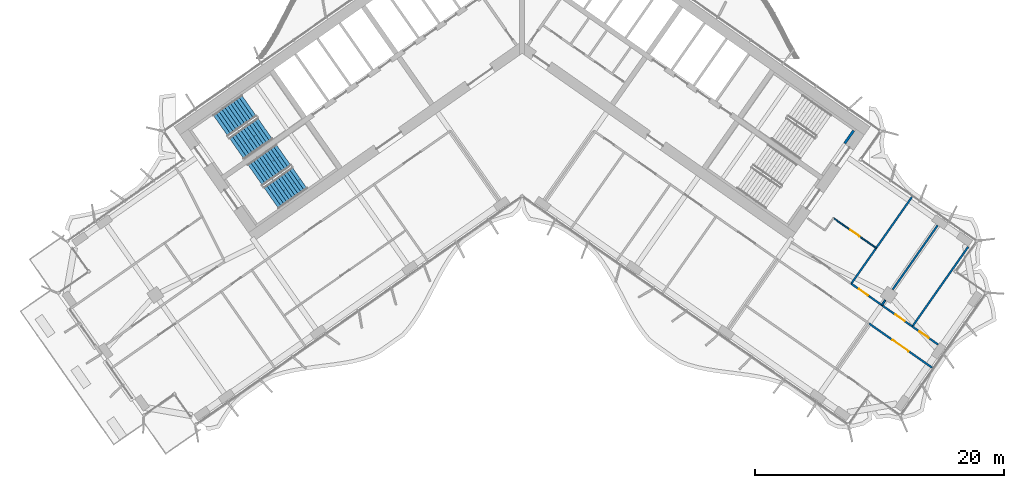
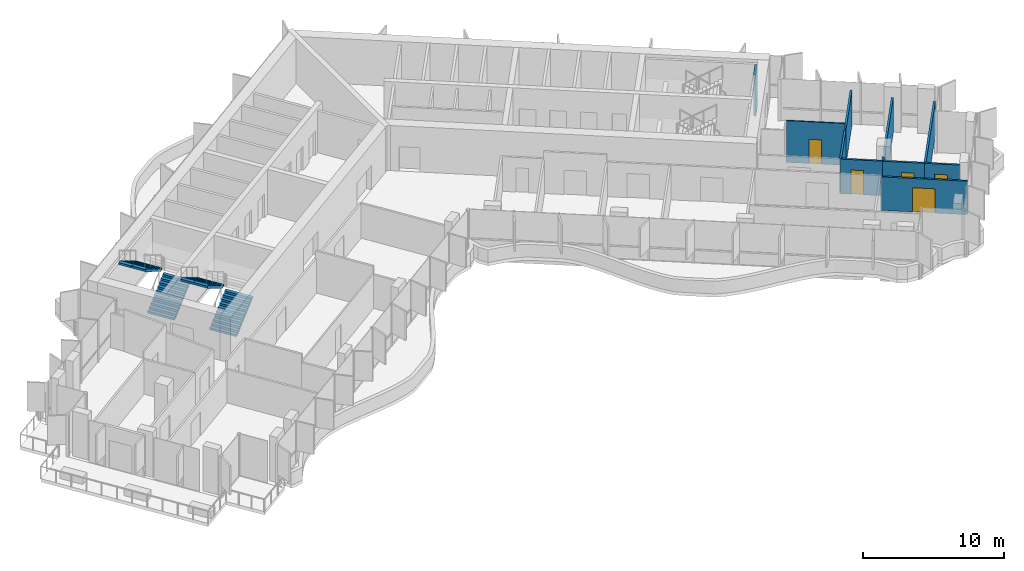
# One storey, part 17 of 24: 11 walls, 5 doors, 4 stair flights, 5 openings, 2 elements without a shape of their own.
"""IFC4 building model written with IfcOpenShell, lengths in metres."""

from ifc_helpers import new_model, si_unit, direction, frame, frame_2d, origin, place, context, subcontext, project, spatial, polyline, rectangle, outline, extrude, material, layer, layer_set, type_object, element, fill, aggregate, save


model = new_model("IFC4")

# Units and contexts
model_context = context("Model", 3, precision=1e-05, world=origin(), true_north=direction((0.0, 1.0)))
body_context = subcontext(model_context, "Body", "Model", "MODEL_VIEW")
ifc_project = project(units=[si_unit("LENGTHUNIT", "METRE"), si_unit("AREAUNIT", "SQUARE_METRE"), si_unit("VOLUMEUNIT", "CUBIC_METRE"), si_unit("PLANEANGLEUNIT", "RADIAN"), si_unit("MASSUNIT", "GRAM", prefix="KILO")], contexts=[model_context])

# Site, building, storey
site_placement = place(None, origin())
site = spatial("IfcSite", under=ifc_project, at=site_placement, CompositionType="ELEMENT")
building_placement = place(site_placement, origin())
building = spatial("IfcBuilding", under=site, at=building_placement, Name="Tel Ilan Convention Tower", CompositionType="ELEMENT")
storey_placement = place(building_placement, frame((0.0, 0.0, 167.10009765625)))
storey = spatial("IfcBuildingStorey", under=building, at=storey_placement, Name="L38", CompositionType="ELEMENT", Elevation=167.10009765625)

# Wall, opening, door
ifc_material_1 = material(Name="Plasterboard on Steel Studs", Category="steel")
ifc_layer_1 = layer(ifc_material_1, 0.14990234375)
ifc_layer_set_1 = layer_set([ifc_layer_1], Name="Fire-rated Partition 150 EI 60")
wall_type_1 = type_object("IfcWallType", Name="Fire-rated Partition 150 EI 60", PredefinedType="PARTITIONING", material=ifc_layer_set_1)
wall_1_placement = place(storey_placement, frame((26.456787109375, -19.74609375, 0.0), z_axis=(0.0, 0.0, 1.0), x_axis=(0.81916700466, -0.573555070134, 0.0)))
wall_1 = element("IfcWall", 1, at=wall_1_placement, inside=storey, type_object=wall_type_1, Name="Partition 002", PredefinedType="PARTITIONING", context=body_context, shape_type="SweptSolid", body=[
    extrude(rectangle(XDim=3.00390625, YDim=0.14990234375, at=frame_2d((1.501953125, 0.0))), origin(), (0.0, 0.0, 1.0), 3.0),
])
opening_1_placement = place(wall_1_placement, frame((0.751953125, 0.0, 0.0)))
opening_1 = element("IfcOpeningElement", 2, at=opening_1_placement, cuts=wall_1, Name="Opening L38-018", PredefinedType="OPENING", context=body_context, shape_type="SweptSolid", body=[
    extrude(rectangle(XDim=0.89990234375, YDim=2.10009765625, at=frame_2d((0.449951171875, 1.050048828125))), frame((0.0, 0.0849609375, 0.0), z_axis=(0.0, -1.0, 0.0), x_axis=(1.0, 0.0, 0.0)), (0.0, 0.0, 1.0), 0.169921875),
])
ifc_material_2 = material(Name="Timber Door Leaf in Steel Frame", Category="steel")
door_type_1 = type_object("IfcDoorType", Name="Room Fire Door 900x2100", OperationType="NOTDEFINED", PredefinedType="DOOR", material=ifc_material_2)
door_1_placement = place(opening_1_placement, origin())
door_1 = element("IfcDoor", 3, at=door_1_placement, inside=storey, type_object=door_type_1, Name="Door L38-018", OperationType="SINGLE_SWING_RIGHT", OverallHeight=2.10009765625, OverallWidth=0.89990234375, PredefinedType="DOOR", context=body_context, shape_type="SweptSolid", body=[
    extrude(rectangle(XDim=0.89990234375, YDim=2.10009765625, at=frame_2d((0.449951171875, 1.050048828125))), frame((0.0, 0.02490234375, 0.0), z_axis=(0.0, -1.0, 0.0), x_axis=(1.0, 0.0, 0.0)), (0.0, 0.0, 1.0), 0.050048828125),
])
fill(opening_1, door_1)

wall_2_placement = place(storey_placement, frame((28.914306640625, -21.466796875, 0.0), z_axis=(0.0, 0.0, 1.0), x_axis=(0.81916700466, -0.573555070134, 0.0)))
wall_2 = element("IfcWall", 4, at=wall_2_placement, inside=storey, type_object=wall_type_1, Name="Partition 003", PredefinedType="PARTITIONING", context=body_context, shape_type="SweptSolid", body=[
    extrude(rectangle(XDim=3.00390625, YDim=0.14990234375, at=frame_2d((1.501953125, 0.0))), origin(), (0.0, 0.0, 1.0), 3.0),
])
opening_2_placement = place(wall_2_placement, frame((1.35205078125, 0.0, 0.0)))
opening_2 = element("IfcOpeningElement", 5, at=opening_2_placement, cuts=wall_2, Name="Opening L38-019", PredefinedType="OPENING", context=body_context, shape_type="SweptSolid", body=[
    extrude(rectangle(XDim=0.89990234375, YDim=2.10009765625, at=frame_2d((0.449951171875, 1.050048828125))), frame((0.0, 0.0849609375, 0.0), z_axis=(0.0, -1.0, 0.0), x_axis=(1.0, 0.0, 0.0)), (0.0, 0.0, 1.0), 0.169921875),
])
door_2_placement = place(opening_2_placement, origin())
door_2 = element("IfcDoor", 6, at=door_2_placement, inside=storey, type_object=door_type_1, Name="Door L38-019", OperationType="SINGLE_SWING_LEFT", OverallHeight=2.10009765625, OverallWidth=0.89990234375, PredefinedType="DOOR", context=body_context, shape_type="SweptSolid", body=[
    extrude(rectangle(XDim=0.89990234375, YDim=2.10009765625, at=frame_2d((0.449951171875, 1.050048828125))), frame((0.0, 0.02490234375, 0.0), z_axis=(0.0, -1.0, 0.0), x_axis=(1.0, 0.0, 0.0)), (0.0, 0.0, 1.0), 0.050048828125),
])
fill(opening_2, door_2)

wall_3_placement = place(storey_placement, frame((31.37158203125, -23.1875, 0.0), z_axis=(0.0, 0.0, 1.0), x_axis=(0.819150379241, -0.573578814278, 0.0)))
wall_3 = element("IfcWall", 7, at=wall_3_placement, inside=storey, type_object=wall_type_1, Name="Partition 004", PredefinedType="PARTITIONING", context=body_context, shape_type="SweptSolid", body=[
    extrude(rectangle(XDim=2.5322265625, YDim=0.14990234375, at=frame_2d((1.26611328125, 0.0))), origin(), (0.0, 0.0, 1.0), 3.0),
])
opening_3_placement = place(wall_3_placement, frame((0.716064453125, 0.0, 0.0)))
opening_3 = element("IfcOpeningElement", 8, at=opening_3_placement, cuts=wall_3, Name="Opening L38-020", PredefinedType="OPENING", context=body_context, shape_type="SweptSolid", body=[
    extrude(rectangle(XDim=0.89990234375, YDim=2.10009765625, at=frame_2d((0.449951171875, 1.050048828125))), frame((0.0, 0.0849609375, 0.0), z_axis=(0.0, -1.0, 0.0), x_axis=(1.0, 0.0, 0.0)), (0.0, 0.0, 1.0), 0.169921875),
])
door_3_placement = place(opening_3_placement, origin())
door_3 = element("IfcDoor", 9, at=door_3_placement, inside=storey, type_object=door_type_1, Name="Door L38-020", OperationType="SINGLE_SWING_RIGHT", OverallHeight=2.10009765625, OverallWidth=0.89990234375, PredefinedType="DOOR", context=body_context, shape_type="SweptSolid", body=[
    extrude(rectangle(XDim=0.89990234375, YDim=2.10009765625, at=frame_2d((0.449951171875, 1.050048828125))), frame((0.0, 0.02490234375, 0.0), z_axis=(0.0, -1.0, 0.0), x_axis=(1.0, 0.0, 0.0)), (0.0, 0.0, 1.0), 0.050048828125),
])
fill(opening_3, door_3)

wall_4_placement = place(storey_placement, frame((32.962158203125, -26.49853515625, 0.0), z_axis=(0.0, 0.0, 1.0), x_axis=(-0.819163486841, 0.573560094347, 0.0)))
wall_4 = element("IfcWall", 10, at=wall_4_placement, inside=storey, type_object=wall_type_1, Name="Partition 010", PredefinedType="PARTITIONING", context=body_context, shape_type="SweptSolid", body=[
    extrude(rectangle(XDim=6.201904296875, YDim=0.14990234375, at=frame_2d((3.10107421875, 0.0))), origin(), (0.0, 0.0, 1.0), 2.89990234375),
])
opening_4_placement = place(wall_4_placement, frame((2.301025390625, 0.0, 0.0)))
opening_4 = element("IfcOpeningElement", 11, at=opening_4_placement, cuts=wall_4, Name="Opening L38-014", PredefinedType="OPENING", context=body_context, shape_type="SweptSolid", body=[
    extrude(rectangle(XDim=1.60009765625, YDim=2.10009765625, at=frame_2d((0.800048828125, 1.050048828125))), frame((0.0, 0.0849609375, 0.0), z_axis=(0.0, -1.0, 0.0), x_axis=(1.0, 0.0, 0.0)), (0.0, 0.0, 1.0), 0.169921875),
])
ifc_material_3 = material(Name="Timber Door Leaf in Steel Frame", Category="steel")
door_type_2 = type_object("IfcDoorType", Name="Tenant Suite Entrance Fire Door 1600x2100", OperationType="NOTDEFINED", PredefinedType="DOOR", material=ifc_material_3)
door_4_placement = place(opening_4_placement, origin())
door_4 = element("IfcDoor", 12, at=door_4_placement, inside=storey, type_object=door_type_2, Name="Door L38-014", OperationType="DOUBLE_DOOR_SINGLE_SWING", OverallHeight=2.10009765625, OverallWidth=1.60009765625, PredefinedType="DOOR", context=body_context, shape_type="SweptSolid", body=[
    extrude(rectangle(XDim=1.60009765625, YDim=2.10009765625, at=frame_2d((0.800048828125, 1.050048828125))), frame((0.0, 0.02490234375, 0.0), z_axis=(0.0, -1.0, 0.0), x_axis=(1.0, 0.0, 0.0)), (0.0, 0.0, 1.0), 0.050048828125),
])
fill(opening_4, door_4)

# Walls
wall_5_placement = place(storey_placement, frame((31.333740234375, -12.784423828125, 0.0), z_axis=(0.0, 0.0, 1.0), x_axis=(-0.573557394979, -0.819165376872, 0.0)))
element("IfcWall", 13, at=wall_5_placement, inside=storey, type_object=wall_type_1, Name="Partition 020", PredefinedType="PARTITIONING", context=body_context, shape_type="SweptSolid", body=[
    extrude(rectangle(XDim=4.9990234375, YDim=0.14990234375, at=frame_2d((2.49951171875, 0.0))), origin(), (0.0, 0.0, 1.0), 3.0),
])
wall_6_placement = place(storey_placement, frame((28.466064453125, -16.880126953125, 0.0), z_axis=(0.0, 0.0, 1.0), x_axis=(-0.573565328398, -0.819159822049, 0.0)))
element("IfcWall", 14, at=wall_6_placement, inside=storey, type_object=wall_type_1, Name="Partition 021", PredefinedType="PARTITIONING", context=body_context, shape_type="SweptSolid", body=[
    extrude(rectangle(XDim=3.500244140625, YDim=0.14990234375, at=frame_2d((1.75, 0.0))), origin(), (0.0, 0.0, 1.0), 3.0),
])
wall_7_placement = place(storey_placement, frame((33.406982421875, -15.053955078125, 0.0), z_axis=(0.0, 0.0, 1.0), x_axis=(-0.573581784433, -0.819148299495, 0.0)))
element("IfcWall", 15, at=wall_7_placement, inside=storey, type_object=wall_type_1, Name="Partition 022", PredefinedType="PARTITIONING", context=body_context, shape_type="SweptSolid", body=[
    extrude(rectangle(XDim=6.31005859375, YDim=0.14990234375, at=frame_2d((3.155029296875, 0.0))), origin(), (0.0, 0.0, 1.0), 3.0),
])
wall_8_placement = place(storey_placement, frame((29.191162109375, -21.07470703125, 0.0), z_axis=(0.0, 0.0, 1.0), x_axis=(-0.57322336738, -0.819399152483, 0.0)))
element("IfcWall", 16, at=wall_8_placement, inside=storey, type_object=wall_type_1, Name="Partition 023", PredefinedType="PARTITIONING", context=body_context, shape_type="SweptSolid", body=[
    extrude(rectangle(XDim=0.47998046875, YDim=0.14990234375, at=frame_2d((0.239990234375, 0.0))), origin(), (0.0, 0.0, 1.0), 3.0),
])
wall_9_placement = place(storey_placement, frame((35.864501953125, -16.774658203125, 0.0), z_axis=(0.0, 0.0, 1.0), x_axis=(-0.573579523489, -0.819149882643, 0.0)))
element("IfcWall", 17, at=wall_9_placement, inside=storey, type_object=wall_type_1, Name="Partition 024", PredefinedType="PARTITIONING", context=body_context, shape_type="SweptSolid", body=[
    extrude(rectangle(XDim=7.830078125, YDim=0.14990234375, at=frame_2d((3.9150390625, 0.0))), origin(), (0.0, 0.0, 1.0), 2.89990234375),
])

# Wall, opening, door
ifc_material_4 = material(Name="Plasterboard on Steel Studs", Category="steel")
ifc_layer_2 = layer(ifc_material_4, 0.10009765625)
ifc_layer_set_2 = layer_set([ifc_layer_2], Name="Plasterboard Partition 100")
wall_type_2 = type_object("IfcWallType", Name="Plasterboard Partition 100", PredefinedType="PARTITIONING", material=ifc_layer_set_2)
wall_10_placement = place(storey_placement, frame((25.026123046875, -14.47021484375, 0.0), z_axis=(0.0, 0.0, 1.0), x_axis=(0.819133598779, -0.573602778367, 0.0)))
wall_10 = element("IfcWall", 18, at=wall_10_placement, inside=storey, type_object=wall_type_2, Name="Partition 017", PredefinedType="PARTITIONING", context=body_context, shape_type="SweptSolid", body=[
    extrude(rectangle(XDim=4.2001953125, YDim=0.10009765625, at=frame_2d((2.10009765625, 0.0))), origin(), (0.0, 0.0, 1.0), 3.619873046875),
])
opening_5_placement = place(wall_10_placement, frame((1.64990234375, 0.0, 0.0)))
opening_5 = element("IfcOpeningElement", 19, at=opening_5_placement, cuts=wall_10, Name="Opening L38-017", PredefinedType="OPENING", context=body_context, shape_type="SweptSolid", body=[
    extrude(rectangle(XDim=0.89990234375, YDim=2.10009765625, at=frame_2d((0.449951171875, 1.050048828125))), frame((0.0, 0.06005859375, 0.0), z_axis=(0.0, -1.0, 0.0), x_axis=(1.0, 0.0, 0.0)), (0.0, 0.0, 1.0), 0.1201171875),
])
ifc_material_5 = material(Name="Timber Door Leaf in Steel Frame", Category="steel")
door_type_3 = type_object("IfcDoorType", Name="Room Timber Door 900x2100", OperationType="NOTDEFINED", PredefinedType="DOOR", material=ifc_material_5)
door_5_placement = place(opening_5_placement, origin())
door_5 = element("IfcDoor", 20, at=door_5_placement, inside=storey, type_object=door_type_3, Name="Door L38-017", OperationType="SINGLE_SWING_RIGHT", OverallHeight=2.10009765625, OverallWidth=0.89990234375, PredefinedType="DOOR", context=body_context, shape_type="SweptSolid", body=[
    extrude(rectangle(XDim=0.89990234375, YDim=2.10009765625, at=frame_2d((0.449951171875, 1.050048828125))), frame((0.0, 0.02490234375, 0.0), z_axis=(0.0, -1.0, 0.0), x_axis=(1.0, 0.0, 0.0)), (0.0, 0.0, 1.0), 0.050048828125),
])
fill(opening_5, door_5)

# Wall
ifc_material_6 = material(Name="Concrete C30/37", Category="concrete")
ifc_layer_3 = layer(ifc_material_6, 0.199951171875)
ifc_layer_set_3 = layer_set([ifc_layer_3], Name="Stair and Shaft Lining Wall 200 mm C30/37")
wall_type_3 = type_object("IfcWallType", Name="Stair and Shaft Lining Wall 200 mm C30/37", PredefinedType="SOLIDWALL", material=ifc_layer_set_3)
wall_11_placement = place(storey_placement, frame((25.939697265625, -8.4580078125, 0.0), z_axis=(0.0, 0.0, 1.0), x_axis=(0.573619628835, 0.819121798889, 0.0)))
element("IfcWall", 21, at=wall_11_placement, inside=storey, type_object=wall_type_3, Name="L38 core wall lining-S3-u1-1", PredefinedType="SOLIDWALL", context=body_context, shape_type="SweptSolid", body=[
    extrude(rectangle(XDim=1.25, YDim=0.199951171875, at=frame_2d((0.625, 0.0))), origin(), (0.0, 0.0, 1.0), 3.619873046875),
])

# Stair, stair flights
ifc_material_7 = material(Name="Concrete C40/50", Category="concrete")
stair_type = type_object("IfcStairType", Name="Pressurised Exit Stair 22 risers 177 mm", PredefinedType="HALF_TURN_STAIR", material=ifc_material_7)
stair_1_placement = place(storey_placement, origin())
stair_1 = element("IfcStair", 22, at=stair_1_placement, inside=storey, type_object=stair_type, Name="L38 Pressurised Stair S1", PredefinedType="HALF_TURN_STAIR")
ifc_material_8 = material(Name="Precast Concrete C40/50", Category="concrete")
stair_flight_type = type_object("IfcStairFlightType", Name="Concrete Stair Flight 2100 mm 22 risers 177 mm", PredefinedType="STRAIGHT", material=ifc_material_8)
stair_flight_1_placement = place(storey_placement, frame((-22.9619140625, -8.87548828125, 0.0), z_axis=(0.0, 0.0, 1.0), x_axis=(0.819152044289, 0.573576436351, 0.0)))
stair_flight_1 = element("IfcStairFlight", 23, at=stair_flight_1_placement, type_object=stair_flight_type, Name="S1 flight 1", NumberOfRisers=11, NumberOfTreads=10, PredefinedType="STRAIGHT", RiserHeight=0.177272727, TreadLength=0.28, context=body_context, shape_type="SweptSolid", body=[
    extrude(outline(polyline([(0.0, 0.0), (0.0, 0.17724609375), (0.280029296875, 0.17724609375), (0.280029296875, 0.3544921875), (0.56005859375, 0.3544921875), (0.56005859375, 0.53173828125), (0.840087890625, 0.53173828125), (0.840087890625, 0.708984375), (1.1201171875, 0.708984375), (1.1201171875, 0.886474609375), (1.39990234375, 0.886474609375), (1.39990234375, 1.063720703125), (1.679931640625, 1.063720703125), (1.679931640625, 1.240966796875), (1.9599609375, 1.240966796875), (1.9599609375, 1.418212890625), (2.239990234375, 1.418212890625), (2.239990234375, 1.595458984375), (2.52001953125, 1.595458984375), (2.52001953125, 1.772705078125), (2.800048828125, 1.772705078125), (2.800048828125, 1.949951171875), (2.800048828125, 1.59521484375), (0.2802734375, 0.0), (0.0, 0.0)])), frame((0.0, -0.100341796875, 0.0), z_axis=(0.0, -1.0, 0.0), x_axis=(1.0, 0.0, 0.0)), (0.0, 0.0, 1.0), 0.94970703125),
    extrude(outline(polyline([(0.0, 0.0), (0.0, 0.17724609375), (0.280029296875, 0.17724609375), (0.280029296875, 0.3544921875), (0.56005859375, 0.3544921875), (0.56005859375, 0.53173828125), (0.840087890625, 0.53173828125), (0.840087890625, 0.708984375), (1.1201171875, 0.708984375), (1.1201171875, 0.886474609375), (1.39990234375, 0.886474609375), (1.39990234375, 1.063720703125), (1.679931640625, 1.063720703125), (1.679931640625, 1.240966796875), (1.9599609375, 1.240966796875), (1.9599609375, 1.418212890625), (2.239990234375, 1.418212890625), (2.239990234375, 1.595458984375), (2.52001953125, 1.595458984375), (2.52001953125, 1.772705078125), (2.800048828125, 1.772705078125), (2.800048828125, 1.949951171875), (2.800048828125, 1.59521484375), (0.2802734375, 0.0), (0.0, 0.0)])), frame((0.0, -0.000244140625, 0.0), z_axis=(0.0, -1.0, 0.0), x_axis=(1.0, 0.0, 0.0)), (0.0, 0.0, 1.0), 0.099609375),
    extrude(outline(polyline([(0.0, 0.0), (0.0, 0.17724609375), (0.280029296875, 0.17724609375), (0.280029296875, 0.3544921875), (0.56005859375, 0.3544921875), (0.56005859375, 0.53173828125), (0.840087890625, 0.53173828125), (0.840087890625, 0.708984375), (1.1201171875, 0.708984375), (1.1201171875, 0.886474609375), (1.39990234375, 0.886474609375), (1.39990234375, 1.063720703125), (1.679931640625, 1.063720703125), (1.679931640625, 1.240966796875), (1.9599609375, 1.240966796875), (1.9599609375, 1.418212890625), (2.239990234375, 1.418212890625), (2.239990234375, 1.595458984375), (2.52001953125, 1.595458984375), (2.52001953125, 1.772705078125), (2.800048828125, 1.772705078125), (2.800048828125, 1.949951171875), (2.800048828125, 1.59521484375), (0.2802734375, 0.0), (0.0, 0.0)])), frame((0.0, 0.099853515625, 0.0), z_axis=(0.0, -1.0, 0.0), x_axis=(1.0, 0.0, 0.0)), (0.0, 0.0, 1.0), 0.099609375),
    extrude(outline(polyline([(0.0, 0.0), (0.0, 0.17724609375), (0.280029296875, 0.17724609375), (0.280029296875, 0.3544921875), (0.56005859375, 0.3544921875), (0.56005859375, 0.53173828125), (0.840087890625, 0.53173828125), (0.840087890625, 0.708984375), (1.1201171875, 0.708984375), (1.1201171875, 0.886474609375), (1.39990234375, 0.886474609375), (1.39990234375, 1.063720703125), (1.679931640625, 1.063720703125), (1.679931640625, 1.240966796875), (1.9599609375, 1.240966796875), (1.9599609375, 1.418212890625), (2.239990234375, 1.418212890625), (2.239990234375, 1.595458984375), (2.52001953125, 1.595458984375), (2.52001953125, 1.772705078125), (2.800048828125, 1.772705078125), (2.800048828125, 1.949951171875), (2.800048828125, 1.59521484375), (0.2802734375, 0.0), (0.0, 0.0)])), frame((0.0, 1.050048828125, 0.0), z_axis=(0.0, -1.0, 0.0), x_axis=(1.0, 0.0, 0.0)), (0.0, 0.0, 1.0), 0.94970703125),
])
stair_flight_2_placement = place(storey_placement, frame((-21.958740234375, -5.42626953125, 1.949951171875), z_axis=(0.0, 0.0, 1.0), x_axis=(-0.819152044289, -0.573576436351, 0.0)))
stair_flight_2 = element("IfcStairFlight", 24, at=stair_flight_2_placement, type_object=stair_flight_type, Name="S1 flight 2", NumberOfRisers=11, NumberOfTreads=10, PredefinedType="STRAIGHT", RiserHeight=0.177272727, TreadLength=0.28, context=body_context, shape_type="SweptSolid", body=[
    extrude(outline(polyline([(0.0, 0.0), (0.0, 0.17724609375), (0.280029296875, 0.17724609375), (0.280029296875, 0.3544921875), (0.56005859375, 0.3544921875), (0.56005859375, 0.53173828125), (0.840087890625, 0.53173828125), (0.840087890625, 0.708984375), (1.1201171875, 0.708984375), (1.1201171875, 0.886474609375), (1.39990234375, 0.886474609375), (1.39990234375, 1.063720703125), (1.679931640625, 1.063720703125), (1.679931640625, 1.240966796875), (1.9599609375, 1.240966796875), (1.9599609375, 1.418212890625), (2.239990234375, 1.418212890625), (2.239990234375, 1.595458984375), (2.52001953125, 1.595458984375), (2.52001953125, 1.772705078125), (2.800048828125, 1.772705078125), (2.800048828125, 1.949951171875), (2.800048828125, 1.59521484375), (0.2802734375, 0.0), (0.0, 0.0)])), frame((0.0, -0.100341796875, 0.0), z_axis=(0.0, -1.0, 0.0), x_axis=(1.0, 0.0, 0.0)), (0.0, 0.0, 1.0), 0.94970703125),
    extrude(outline(polyline([(0.0, 0.0), (0.0, 0.17724609375), (0.280029296875, 0.17724609375), (0.280029296875, 0.3544921875), (0.56005859375, 0.3544921875), (0.56005859375, 0.53173828125), (0.840087890625, 0.53173828125), (0.840087890625, 0.708984375), (1.1201171875, 0.708984375), (1.1201171875, 0.886474609375), (1.39990234375, 0.886474609375), (1.39990234375, 1.063720703125), (1.679931640625, 1.063720703125), (1.679931640625, 1.240966796875), (1.9599609375, 1.240966796875), (1.9599609375, 1.418212890625), (2.239990234375, 1.418212890625), (2.239990234375, 1.595458984375), (2.52001953125, 1.595458984375), (2.52001953125, 1.772705078125), (2.800048828125, 1.772705078125), (2.800048828125, 1.949951171875), (2.800048828125, 1.59521484375), (0.2802734375, 0.0), (0.0, 0.0)])), frame((0.0, -0.000244140625, 0.0), z_axis=(0.0, -1.0, 0.0), x_axis=(1.0, 0.0, 0.0)), (0.0, 0.0, 1.0), 0.099609375),
    extrude(outline(polyline([(0.0, 0.0), (0.0, 0.17724609375), (0.280029296875, 0.17724609375), (0.280029296875, 0.3544921875), (0.56005859375, 0.3544921875), (0.56005859375, 0.53173828125), (0.840087890625, 0.53173828125), (0.840087890625, 0.708984375), (1.1201171875, 0.708984375), (1.1201171875, 0.886474609375), (1.39990234375, 0.886474609375), (1.39990234375, 1.063720703125), (1.679931640625, 1.063720703125), (1.679931640625, 1.240966796875), (1.9599609375, 1.240966796875), (1.9599609375, 1.418212890625), (2.239990234375, 1.418212890625), (2.239990234375, 1.595458984375), (2.52001953125, 1.595458984375), (2.52001953125, 1.772705078125), (2.800048828125, 1.772705078125), (2.800048828125, 1.949951171875), (2.800048828125, 1.59521484375), (0.2802734375, 0.0), (0.0, 0.0)])), frame((0.0, 0.099853515625, 0.0), z_axis=(0.0, -1.0, 0.0), x_axis=(1.0, 0.0, 0.0)), (0.0, 0.0, 1.0), 0.099609375),
    extrude(outline(polyline([(0.0, 0.0), (0.0, 0.17724609375), (0.280029296875, 0.17724609375), (0.280029296875, 0.3544921875), (0.56005859375, 0.3544921875), (0.56005859375, 0.53173828125), (0.840087890625, 0.53173828125), (0.840087890625, 0.708984375), (1.1201171875, 0.708984375), (1.1201171875, 0.886474609375), (1.39990234375, 0.886474609375), (1.39990234375, 1.063720703125), (1.679931640625, 1.063720703125), (1.679931640625, 1.240966796875), (1.9599609375, 1.240966796875), (1.9599609375, 1.418212890625), (2.239990234375, 1.418212890625), (2.239990234375, 1.595458984375), (2.52001953125, 1.595458984375), (2.52001953125, 1.772705078125), (2.800048828125, 1.772705078125), (2.800048828125, 1.949951171875), (2.800048828125, 1.59521484375), (0.2802734375, 0.0), (0.0, 0.0)])), frame((0.0, 1.050048828125, 0.0), z_axis=(0.0, -1.0, 0.0), x_axis=(1.0, 0.0, 0.0)), (0.0, 0.0, 1.0), 0.94970703125),
])
aggregate(stair_1, [stair_flight_1, stair_flight_2])

stair_2_placement = place(storey_placement, origin())
stair_2 = element("IfcStair", 25, at=stair_2_placement, inside=storey, type_object=stair_type, Name="L38 Pressurised Stair S2", PredefinedType="HALF_TURN_STAIR")
stair_flight_3_placement = place(storey_placement, frame((-20.179931640625, -12.848388671875, 0.0), z_axis=(0.0, 0.0, 1.0), x_axis=(0.819152044289, 0.573576436351, 0.0)))
stair_flight_3 = element("IfcStairFlight", 26, at=stair_flight_3_placement, type_object=stair_flight_type, Name="S2 flight 1", NumberOfRisers=11, NumberOfTreads=10, PredefinedType="STRAIGHT", RiserHeight=0.177272727, TreadLength=0.28, context=body_context, shape_type="SweptSolid", body=[
    extrude(outline(polyline([(0.0, 0.0), (0.0, 0.17724609375), (0.280029296875, 0.17724609375), (0.280029296875, 0.3544921875), (0.56005859375, 0.3544921875), (0.56005859375, 0.53173828125), (0.840087890625, 0.53173828125), (0.840087890625, 0.708984375), (1.1201171875, 0.708984375), (1.1201171875, 0.886474609375), (1.39990234375, 0.886474609375), (1.39990234375, 1.063720703125), (1.679931640625, 1.063720703125), (1.679931640625, 1.240966796875), (1.9599609375, 1.240966796875), (1.9599609375, 1.418212890625), (2.239990234375, 1.418212890625), (2.239990234375, 1.595458984375), (2.52001953125, 1.595458984375), (2.52001953125, 1.772705078125), (2.800048828125, 1.772705078125), (2.800048828125, 1.949951171875), (2.800048828125, 1.59521484375), (0.2802734375, 0.0), (0.0, 0.0)])), frame((0.0, -0.100341796875, 0.0), z_axis=(0.0, -1.0, 0.0), x_axis=(1.0, 0.0, 0.0)), (0.0, 0.0, 1.0), 0.94970703125),
    extrude(outline(polyline([(0.0, 0.0), (0.0, 0.17724609375), (0.280029296875, 0.17724609375), (0.280029296875, 0.3544921875), (0.56005859375, 0.3544921875), (0.56005859375, 0.53173828125), (0.840087890625, 0.53173828125), (0.840087890625, 0.708984375), (1.1201171875, 0.708984375), (1.1201171875, 0.886474609375), (1.39990234375, 0.886474609375), (1.39990234375, 1.063720703125), (1.679931640625, 1.063720703125), (1.679931640625, 1.240966796875), (1.9599609375, 1.240966796875), (1.9599609375, 1.418212890625), (2.239990234375, 1.418212890625), (2.239990234375, 1.595458984375), (2.52001953125, 1.595458984375), (2.52001953125, 1.772705078125), (2.800048828125, 1.772705078125), (2.800048828125, 1.949951171875), (2.800048828125, 1.59521484375), (0.2802734375, 0.0), (0.0, 0.0)])), frame((0.0, -0.000244140625, 0.0), z_axis=(0.0, -1.0, 0.0), x_axis=(1.0, 0.0, 0.0)), (0.0, 0.0, 1.0), 0.099609375),
    extrude(outline(polyline([(0.0, 0.0), (0.0, 0.17724609375), (0.280029296875, 0.17724609375), (0.280029296875, 0.3544921875), (0.56005859375, 0.3544921875), (0.56005859375, 0.53173828125), (0.840087890625, 0.53173828125), (0.840087890625, 0.708984375), (1.1201171875, 0.708984375), (1.1201171875, 0.886474609375), (1.39990234375, 0.886474609375), (1.39990234375, 1.063720703125), (1.679931640625, 1.063720703125), (1.679931640625, 1.240966796875), (1.9599609375, 1.240966796875), (1.9599609375, 1.418212890625), (2.239990234375, 1.418212890625), (2.239990234375, 1.595458984375), (2.52001953125, 1.595458984375), (2.52001953125, 1.772705078125), (2.800048828125, 1.772705078125), (2.800048828125, 1.949951171875), (2.800048828125, 1.59521484375), (0.2802734375, 0.0), (0.0, 0.0)])), frame((0.0, 0.099853515625, 0.0), z_axis=(0.0, -1.0, 0.0), x_axis=(1.0, 0.0, 0.0)), (0.0, 0.0, 1.0), 0.099609375),
    extrude(outline(polyline([(0.0, 0.0), (0.0, 0.17724609375), (0.280029296875, 0.17724609375), (0.280029296875, 0.3544921875), (0.56005859375, 0.3544921875), (0.56005859375, 0.53173828125), (0.840087890625, 0.53173828125), (0.840087890625, 0.708984375), (1.1201171875, 0.708984375), (1.1201171875, 0.886474609375), (1.39990234375, 0.886474609375), (1.39990234375, 1.063720703125), (1.679931640625, 1.063720703125), (1.679931640625, 1.240966796875), (1.9599609375, 1.240966796875), (1.9599609375, 1.418212890625), (2.239990234375, 1.418212890625), (2.239990234375, 1.595458984375), (2.52001953125, 1.595458984375), (2.52001953125, 1.772705078125), (2.800048828125, 1.772705078125), (2.800048828125, 1.949951171875), (2.800048828125, 1.59521484375), (0.2802734375, 0.0), (0.0, 0.0)])), frame((0.0, 1.050048828125, 0.0), z_axis=(0.0, -1.0, 0.0), x_axis=(1.0, 0.0, 0.0)), (0.0, 0.0, 1.0), 0.94970703125),
])
stair_flight_4_placement = place(storey_placement, frame((-19.177001953125, -9.399169921875, 1.949951171875), z_axis=(0.0, 0.0, 1.0), x_axis=(-0.819152044289, -0.573576436351, 0.0)))
stair_flight_4 = element("IfcStairFlight", 27, at=stair_flight_4_placement, type_object=stair_flight_type, Name="S2 flight 2", NumberOfRisers=11, NumberOfTreads=10, PredefinedType="STRAIGHT", RiserHeight=0.177272727, TreadLength=0.28, context=body_context, shape_type="SweptSolid", body=[
    extrude(outline(polyline([(0.0, 0.0), (0.0, 0.17724609375), (0.280029296875, 0.17724609375), (0.280029296875, 0.3544921875), (0.56005859375, 0.3544921875), (0.56005859375, 0.53173828125), (0.840087890625, 0.53173828125), (0.840087890625, 0.708984375), (1.1201171875, 0.708984375), (1.1201171875, 0.886474609375), (1.39990234375, 0.886474609375), (1.39990234375, 1.063720703125), (1.679931640625, 1.063720703125), (1.679931640625, 1.240966796875), (1.9599609375, 1.240966796875), (1.9599609375, 1.418212890625), (2.239990234375, 1.418212890625), (2.239990234375, 1.595458984375), (2.52001953125, 1.595458984375), (2.52001953125, 1.772705078125), (2.800048828125, 1.772705078125), (2.800048828125, 1.949951171875), (2.800048828125, 1.59521484375), (0.2802734375, 0.0), (0.0, 0.0)])), frame((0.0, -0.100341796875, 0.0), z_axis=(0.0, -1.0, 0.0), x_axis=(1.0, 0.0, 0.0)), (0.0, 0.0, 1.0), 0.94970703125),
    extrude(outline(polyline([(0.0, 0.0), (0.0, 0.17724609375), (0.280029296875, 0.17724609375), (0.280029296875, 0.3544921875), (0.56005859375, 0.3544921875), (0.56005859375, 0.53173828125), (0.840087890625, 0.53173828125), (0.840087890625, 0.708984375), (1.1201171875, 0.708984375), (1.1201171875, 0.886474609375), (1.39990234375, 0.886474609375), (1.39990234375, 1.063720703125), (1.679931640625, 1.063720703125), (1.679931640625, 1.240966796875), (1.9599609375, 1.240966796875), (1.9599609375, 1.418212890625), (2.239990234375, 1.418212890625), (2.239990234375, 1.595458984375), (2.52001953125, 1.595458984375), (2.52001953125, 1.772705078125), (2.800048828125, 1.772705078125), (2.800048828125, 1.949951171875), (2.800048828125, 1.59521484375), (0.2802734375, 0.0), (0.0, 0.0)])), frame((0.0, -0.000244140625, 0.0), z_axis=(0.0, -1.0, 0.0), x_axis=(1.0, 0.0, 0.0)), (0.0, 0.0, 1.0), 0.099609375),
    extrude(outline(polyline([(0.0, 0.0), (0.0, 0.17724609375), (0.280029296875, 0.17724609375), (0.280029296875, 0.3544921875), (0.56005859375, 0.3544921875), (0.56005859375, 0.53173828125), (0.840087890625, 0.53173828125), (0.840087890625, 0.708984375), (1.1201171875, 0.708984375), (1.1201171875, 0.886474609375), (1.39990234375, 0.886474609375), (1.39990234375, 1.063720703125), (1.679931640625, 1.063720703125), (1.679931640625, 1.240966796875), (1.9599609375, 1.240966796875), (1.9599609375, 1.418212890625), (2.239990234375, 1.418212890625), (2.239990234375, 1.595458984375), (2.52001953125, 1.595458984375), (2.52001953125, 1.772705078125), (2.800048828125, 1.772705078125), (2.800048828125, 1.949951171875), (2.800048828125, 1.59521484375), (0.2802734375, 0.0), (0.0, 0.0)])), frame((0.0, 0.099853515625, 0.0), z_axis=(0.0, -1.0, 0.0), x_axis=(1.0, 0.0, 0.0)), (0.0, 0.0, 1.0), 0.099609375),
    extrude(outline(polyline([(0.0, 0.0), (0.0, 0.17724609375), (0.280029296875, 0.17724609375), (0.280029296875, 0.3544921875), (0.56005859375, 0.3544921875), (0.56005859375, 0.53173828125), (0.840087890625, 0.53173828125), (0.840087890625, 0.708984375), (1.1201171875, 0.708984375), (1.1201171875, 0.886474609375), (1.39990234375, 0.886474609375), (1.39990234375, 1.063720703125), (1.679931640625, 1.063720703125), (1.679931640625, 1.240966796875), (1.9599609375, 1.240966796875), (1.9599609375, 1.418212890625), (2.239990234375, 1.418212890625), (2.239990234375, 1.595458984375), (2.52001953125, 1.595458984375), (2.52001953125, 1.772705078125), (2.800048828125, 1.772705078125), (2.800048828125, 1.949951171875), (2.800048828125, 1.59521484375), (0.2802734375, 0.0), (0.0, 0.0)])), frame((0.0, 1.050048828125, 0.0), z_axis=(0.0, -1.0, 0.0), x_axis=(1.0, 0.0, 0.0)), (0.0, 0.0, 1.0), 0.94970703125),
])
aggregate(stair_2, [stair_flight_3, stair_flight_4])

save(model, "model.ifc")
